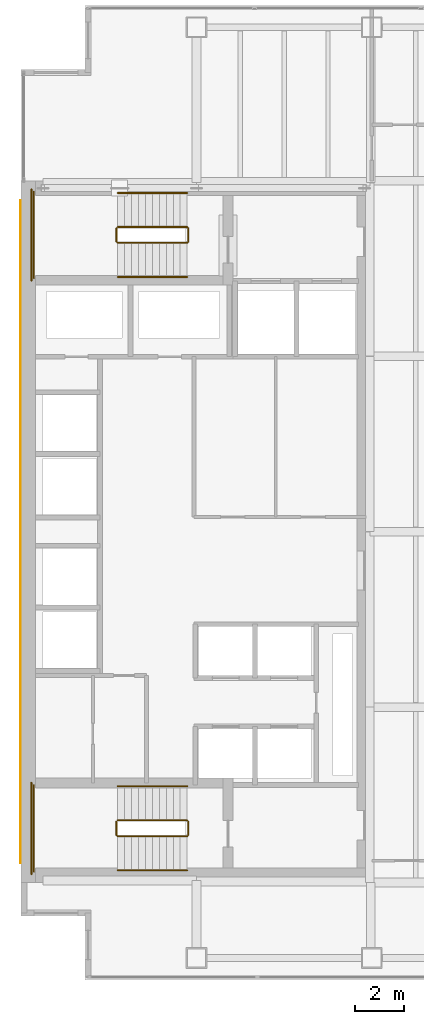
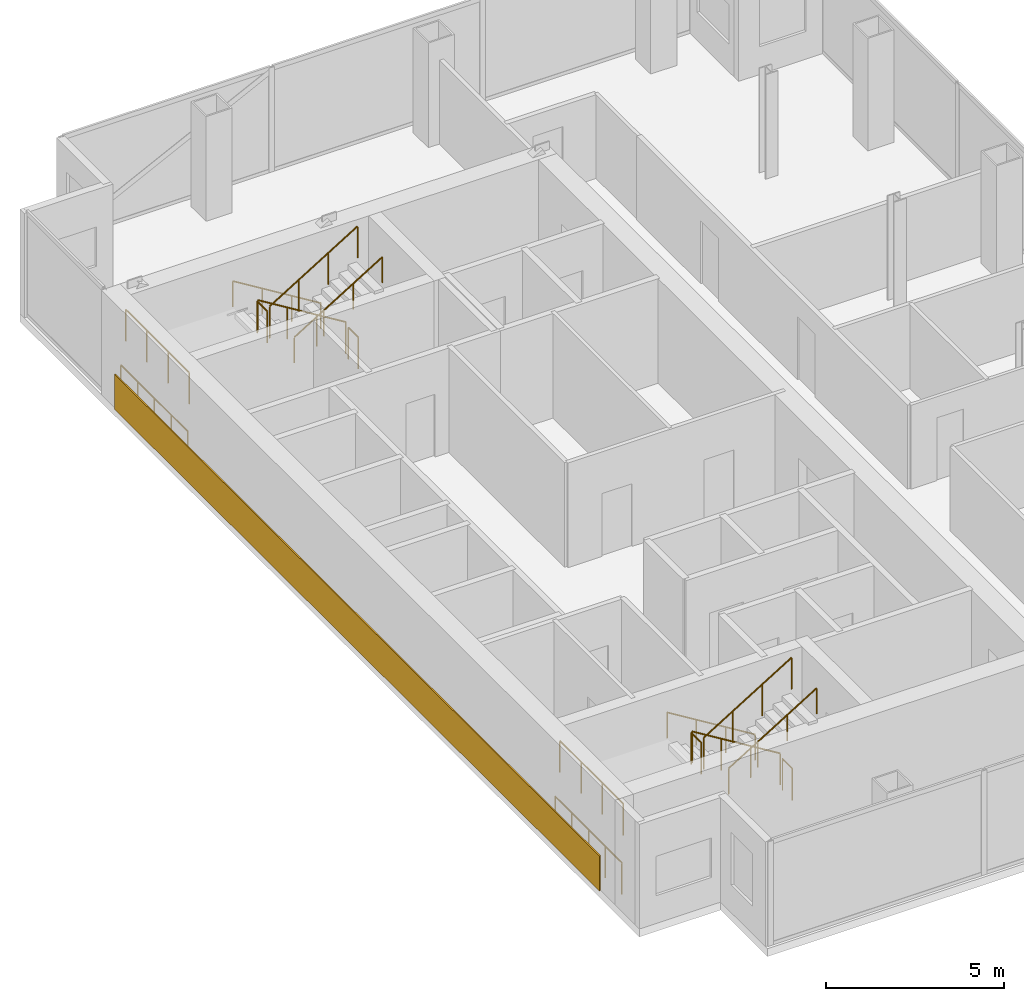
# One storey, part 23 of 23: 16 railings, 1 covering.
"""IFC4 building model written with IfcOpenShell, lengths in metres."""

import ifcopenshell
import ifcopenshell.guid

model = None  # the IFC model being written
_history = None  # IfcOwnerHistory: only IFC2X3 demands one
_inside = {}  # id of a spatial element -> (the spatial element, [elements in it])
_under = {}  # id of a project, library or spatial element -> (it, [spatial elements below it])
_declared = {}  # id of a project -> (the project, [libraries it declares])
_typed = {}  # id of a type object -> (the type object, [elements of that type])
_made_of = {}  # id of a material, layer set ... -> (it, [elements and type objects made of it])


def new_model(schema):
    """Start an empty IFC model of exactly this schema.

    Asked for "IFC4X3", IfcOpenShell would pick the latest addendum, in which some entities
    have other attributes; the version numbers below select the first issue.
    IFC2X3 requires an IfcOwnerHistory on every rooted entity: one is made here for all.
    """
    global model, _history
    if schema == "IFC4X3":
        model = ifcopenshell.file(schema_version=(4, 3, 0, 0))
    else:
        model = ifcopenshell.file(schema=schema)
    _inside.clear()
    _under.clear()
    _declared.clear()
    _typed.clear()
    _made_of.clear()
    _history = None
    if model.schema == "IFC2X3":
        org = make("IfcOrganization", Name="unknown")
        user = make(
            "IfcPersonAndOrganization",
            ThePerson=make("IfcPerson", FamilyName="unknown"),
            TheOrganization=org,
        )
        app = make(
            "IfcApplication",
            ApplicationDeveloper=org,
            Version="unknown",
            ApplicationFullName="unknown",
            ApplicationIdentifier="unknown",
        )
        _history = make(
            "IfcOwnerHistory",
            OwningUser=user,
            OwningApplication=app,
            ChangeAction="ADDED",
            CreationDate=0,
        )
    return model


def make(cls, **values):
    """One entity of the class cls with the attributes given. An attribute that is None is left unset."""
    return model.create_entity(
        cls, **{name: value for name, value in values.items() if value is not None}
    )


def rooted(cls, **values):
    """An entity with a GlobalId (a new one), such as an element, a storey or a relation."""
    return make(cls, GlobalId=ifcopenshell.guid.new(), OwnerHistory=_history, **values)


def si_unit(unit_type, name, prefix=None):
    """IfcSIUnit, for example si_unit("LENGTHUNIT", "METRE", prefix="MILLI")."""
    return make("IfcSIUnit", UnitType=unit_type, Prefix=prefix, Name=name)


def assignment(units):
    """IfcUnitAssignment: the units of a project."""
    return None if units is None else make("IfcUnitAssignment", Units=units)


def point(xyz):
    """IfcCartesianPoint."""
    return None if xyz is None else make("IfcCartesianPoint", Coordinates=xyz)


def direction(xyz):
    """IfcDirection."""
    return None if xyz is None else make("IfcDirection", DirectionRatios=xyz)


def frame(location, z_axis=None, x_axis=None):
    """IfcAxis2Placement3D, a coordinate frame: its origin and axes. An axis left out is left unset."""
    return make(
        "IfcAxis2Placement3D",
        Location=point(location),
        Axis=direction(z_axis),
        RefDirection=direction(x_axis),
    )


def frame_2d(location, x_axis=None):
    """IfcAxis2Placement2D, a coordinate frame in the plane: its origin and x axis."""
    return make(
        "IfcAxis2Placement2D", Location=point(location), RefDirection=direction(x_axis)
    )


def origin():
    """The frame at (0, 0, 0) with its axes left unset."""
    return frame((0.0, 0.0, 0.0))


def origin_2d():
    """The frame at (0, 0) in the plane with its x axis left unset."""
    return frame_2d((0.0, 0.0))


def place(relative_to, where):
    """IfcLocalPlacement: puts the frame where relative to a parent placement (None: the world)."""
    return make(
        "IfcLocalPlacement", PlacementRelTo=relative_to, RelativePlacement=where
    )


def context(
    kind, dimensions, precision=None, world=None, true_north=None, identifier=None
):
    """IfcGeometricRepresentationContext, for example the 3D "Model" context."""
    return make(
        "IfcGeometricRepresentationContext",
        ContextIdentifier=identifier,
        ContextType=kind,
        CoordinateSpaceDimension=dimensions,
        Precision=precision,
        WorldCoordinateSystem=world,
        TrueNorth=true_north,
    )


def subcontext(parent, identifier, kind, view, scale=None):
    """IfcGeometricRepresentationSubContext, for example "Body" below "Model"."""
    return make(
        "IfcGeometricRepresentationSubContext",
        ContextIdentifier=identifier,
        ContextType=kind,
        ParentContext=parent,
        TargetScale=scale,
        TargetView=view,
    )


def project(units=None, contexts=None):
    """IfcProject with its units and contexts."""
    return rooted(
        "IfcProject",
        Name="project",
        RepresentationContexts=contexts,
        UnitsInContext=assignment(units),
    )


def spatial(cls, under=None, at=None, **own):
    """A site, building, storey or space (cls), placed at a placement, below another one or the project."""
    s = rooted(cls, ObjectPlacement=at, **own)
    if under is not None:
        _under.setdefault(under.id(), (under, []))[1].append(s)
    return s


def polyline(points):
    """IfcPolyline through the points."""
    return make("IfcPolyline", Points=[point(p) for p in points])


def profile(cls, at=None, kind="AREA", **sizes):
    """A parametric profile (cls). Its sizes go by their IFC names, for example OverallWidth=200.0."""
    return make(cls, ProfileType=kind, Position=at, **sizes)


def circle(**sizes):
    """IfcCircleProfileDef."""
    return profile("IfcCircleProfileDef", **sizes)


def outline(outer, holes=None, kind="AREA"):
    """IfcArbitraryClosedProfileDef: a profile drawn as a closed curve; with holes, ...WithVoids."""
    if holes is None:
        return make("IfcArbitraryClosedProfileDef", ProfileType=kind, OuterCurve=outer)
    return make(
        "IfcArbitraryProfileDefWithVoids",
        ProfileType=kind,
        OuterCurve=outer,
        InnerCurves=holes,
    )


def extrude(swept, where, along, depth):
    """IfcExtrudedAreaSolid: the profile swept, set in the frame where, extruded along a direction by depth."""
    return make(
        "IfcExtrudedAreaSolid",
        SweptArea=swept,
        Position=where,
        ExtrudedDirection=direction(along),
        Depth=depth,
    )


def shape(context_of_items, identifier, shape_type, items):
    """IfcShapeRepresentation: the items that make up one representation, for example the "Body"."""
    return make(
        "IfcShapeRepresentation",
        ContextOfItems=context_of_items,
        RepresentationIdentifier=identifier,
        RepresentationType=shape_type,
        Items=items,
    )


def material(Name=None, Category=None):
    """IfcMaterial."""
    return make("IfcMaterial", Name=Name, Category=Category)


def layer(
    of_material, thickness, ventilated=None, Name=None, Category=None, Priority=None
):
    """IfcMaterialLayer: one layer of a wall or slab, of a material (None: an air gap)."""
    return make(
        "IfcMaterialLayer",
        Material=of_material,
        LayerThickness=thickness,
        IsVentilated=ventilated,
        Name=Name,
        Category=Category,
        Priority=Priority,
    )


def layer_set(layers, Name=None):
    """IfcMaterialLayerSet."""
    return make("IfcMaterialLayerSet", MaterialLayers=layers, LayerSetName=Name)


def made_of(thing, what):
    """Note that an element or type object is made of a material, layer set ...; save() writes the relation."""
    if what is not None:
        _made_of.setdefault(what.id(), (what, []))[1].append(thing)
    return thing


def type_object(cls, material=None, **own):
    """A type object (cls), such as IfcWallType, which elements share."""
    return made_of(rooted(cls, **own), material)


def element(
    cls,
    number,
    at=None,
    inside=None,
    cuts=None,
    type_object=None,
    material=None,
    context=None,
    identifier="Body",
    shape_type=None,
    held_by="IfcProductDefinitionShape",
    body=None,
    shapes=None,
    **own,
):
    """One element of the class cls, such as IfcWall. Its Tag is "e" and its number.

    at: its placement. inside: the storey or other place that contains it. cuts: it is an
    opening in that element (IfcRelVoidsElement). A single representation is given by context,
    identifier, shape_type and body (its items); several are given by shapes. held_by: the class
    of the entity that holds the representations. save() writes the other relations.
    """
    e = rooted(cls, Tag="e%d" % number, ObjectPlacement=at, **own)
    if body is not None:
        shapes = [shape(context, identifier, shape_type, body)]
    if shapes is not None:
        e.Representation = make(held_by, Representations=shapes)
    if inside is not None:
        _inside.setdefault(inside.id(), (inside, []))[1].append(e)
    if cuts is not None:
        rooted(
            "IfcRelVoidsElement", RelatingBuildingElement=cuts, RelatedOpeningElement=e
        )
    if type_object is not None:
        _typed.setdefault(type_object.id(), (type_object, []))[1].append(e)
    return made_of(e, material)


def aggregate(whole, parts):
    """IfcRelAggregates: a whole, such as a stair, and the parts it consists of."""
    return rooted("IfcRelAggregates", RelatingObject=whole, RelatedObjects=parts)


def save(model, path):
    """Write the relations noted so far, then the file.

    IfcRelAggregates (storeys below a building ...), IfcRelContainedInSpatialStructure (elements
    in a storey), IfcRelDefinesByType, IfcRelAssociatesMaterial and IfcRelDeclares: one each for
    every whole, place, type object, material and project.
    """
    for whole, parts in _under.values():
        aggregate(whole, parts)
    for where, things in _inside.values():
        rooted(
            "IfcRelContainedInSpatialStructure",
            RelatedElements=things,
            RelatingStructure=where,
        )
    for kind, things in _typed.values():
        rooted("IfcRelDefinesByType", RelatedObjects=things, RelatingType=kind)
    for what, things in _made_of.values():
        rooted("IfcRelAssociatesMaterial", RelatedObjects=things, RelatingMaterial=what)
    for by, libraries in _declared.values():
        rooted("IfcRelDeclares", RelatingContext=by, RelatedDefinitions=libraries)
    model.write(path)


model = new_model("IFC4")

# Units and contexts
model_context = context("Model", 3, precision=1e-05, world=origin(), true_north=direction((0.0, 1.0)))
body_context = subcontext(model_context, "Body", "Model", "MODEL_VIEW")
ifc_project = project(units=[si_unit("LENGTHUNIT", "METRE"), si_unit("AREAUNIT", "SQUARE_METRE"), si_unit("VOLUMEUNIT", "CUBIC_METRE"), si_unit("PLANEANGLEUNIT", "RADIAN"), si_unit("MASSUNIT", "GRAM", prefix="KILO")], contexts=[model_context])

# Site, building, storey
site_placement = place(None, origin())
site = spatial("IfcSite", under=ifc_project, at=site_placement, CompositionType="ELEMENT")
building_placement = place(site_placement, origin())
building = spatial("IfcBuilding", under=site, at=building_placement, Name="Cobrela Telecom Tower", CompositionType="ELEMENT")
storey_placement = place(building_placement, frame((0.0, 0.0, 159.949951171875)))
storey = spatial("IfcBuildingStorey", under=building, at=storey_placement, Name="L40", CompositionType="ELEMENT", Elevation=159.949951171875)

# Covering
ifc_material_1 = material(Name="Bogota Terracotta Architectural Stone", Category="masonry")
ifc_layer = layer(ifc_material_1, 0.0400390625)
ifc_layer_set = layer_set([ifc_layer], Name="Bogota Terracotta Architectural Stone")
covering_type = type_object("IfcCoveringType", Name="COV-CLAD-TERRA", PredefinedType="CLADDING", material=ifc_layer_set)
covering_placement = place(storey_placement, origin())
element("IfcCovering", 1, at=covering_placement, inside=storey, type_object=covering_type, Name="L40 West Core Terracotta Spandrel Cladding Band", PredefinedType="CLADDING", context=body_context, shape_type="SweptSolid", body=[
    extrude(outline(polyline([(-0.0400390625, 8.0), (0.0, 8.0), (0.0, 35.199951171875), (-0.0400390625, 35.199951171875), (-0.0400390625, 8.0)])), origin(), (0.0, 0.0, 1.0), 1.199951171875),
])

# Railings
ifc_material_2 = material(Name="Steel ASTM A36", Category="steel")
railing_type_1 = type_object("IfcRailingType", Name="RAIL-GUARD-1100", PredefinedType="GUARDRAIL", material=ifc_material_2)
railing_1_placement = place(storey_placement, frame((6.820068359375, 34.10009765625, 0.175048828125)))
element("IfcRailing", 2, at=railing_1_placement, inside=storey, type_object=railing_type_1, Name="L40 ST1 stair guard 1", PredefinedType="GUARDRAIL", context=body_context, shape_type="SweptSolid", body=[
    extrude(circle(Radius=0.02392578125, at=origin_2d()), frame((0.0, 0.0, 1.076171875), z_axis=(-0.852179220489, 0.0, 0.52325001306), x_axis=(0.0, -1.0, 0.0)), (0.0, 0.0, 1.0), 3.344482421875),
    extrude(circle(Radius=0.02099609375, at=origin_2d()), origin(), (0.0, 0.0, 1.0), 1.052001953125),
    extrude(circle(Radius=0.02099609375, at=origin_2d()), frame((-0.949951171875, 0.0, 0.583251953125)), (0.0, 0.0, 1.0), 1.052001953125),
    extrude(circle(Radius=0.02099609375, at=origin_2d()), frame((-1.900146484375, 0.0, 1.166748046875)), (0.0, 0.0, 1.0), 1.052001953125),
    extrude(circle(Radius=0.02099609375, at=origin_2d()), frame((-2.85009765625, 0.0, 1.75)), (0.0, 0.0, 1.0), 1.052001953125),
])
railing_2_placement = place(storey_placement, frame((3.919921875, 34.050048828125, 1.925048828125)))
element("IfcRailing", 3, at=railing_2_placement, inside=storey, type_object=railing_type_1, Name="L40 ST1 stair guard 2", PredefinedType="GUARDRAIL", context=body_context, shape_type="SweptSolid", body=[
    extrude(circle(Radius=0.02392578125, at=origin_2d()), frame((0.0, 0.0, 1.076171875), z_axis=(0.0, -1.0, 0.0), x_axis=(1.0, 0.0, 0.0)), (0.0, 0.0, 1.0), 0.550048828125),
    extrude(circle(Radius=0.02099609375, at=origin_2d()), origin(), (0.0, 0.0, 1.0), 1.052001953125),
    extrude(circle(Radius=0.02099609375, at=origin_2d()), frame((0.0, -0.550048828125, 0.0)), (0.0, 0.0, 1.0), 1.052001953125),
])
railing_3_placement = place(storey_placement, frame((0.530029296875, 35.550048828125, 1.925048828125)))
element("IfcRailing", 4, at=railing_3_placement, inside=storey, type_object=railing_type_1, Name="L40 ST1 stair guard 3", PredefinedType="GUARDRAIL", context=body_context, shape_type="SweptSolid", body=[
    extrude(circle(Radius=0.02392578125, at=origin_2d()), frame((0.0, 0.0, 1.076171875), z_axis=(0.0, -1.0, 0.0), x_axis=(1.0, 0.0, 0.0)), (0.0, 0.0, 1.0), 3.550048828125),
    extrude(circle(Radius=0.02099609375, at=origin_2d()), origin(), (0.0, 0.0, 1.0), 1.052001953125),
    extrude(circle(Radius=0.02099609375, at=origin_2d()), frame((0.0, -1.183349609375, 0.0)), (0.0, 0.0, 1.0), 1.052001953125),
    extrude(circle(Radius=0.02099609375, at=origin_2d()), frame((0.0, -2.36669921875, 0.0)), (0.0, 0.0, 1.0), 1.052001953125),
    extrude(circle(Radius=0.02099609375, at=origin_2d()), frame((0.0, -3.550048828125, 0.0)), (0.0, 0.0, 1.0), 1.052001953125),
])
railing_4_placement = place(storey_placement, frame((3.969970703125, 33.449951171875, 2.10009765625)))
element("IfcRailing", 5, at=railing_4_placement, inside=storey, type_object=railing_type_1, Name="L40 ST1 stair guard 4", PredefinedType="GUARDRAIL", context=body_context, shape_type="SweptSolid", body=[
    extrude(circle(Radius=0.02392578125, at=origin_2d()), frame((0.0, 0.0, 1.076171875), z_axis=(0.852179220489, 0.0, 0.52325001306), x_axis=(0.0, 1.0, 0.0)), (0.0, 0.0, 1.0), 3.344482421875),
    extrude(circle(Radius=0.02099609375, at=origin_2d()), origin(), (0.0, 0.0, 1.0), 1.052001953125),
    extrude(circle(Radius=0.02099609375, at=origin_2d()), frame((0.949951171875, 0.0, 0.583251953125)), (0.0, 0.0, 1.0), 1.052001953125),
    extrude(circle(Radius=0.02099609375, at=origin_2d()), frame((1.900146484375, 0.0, 1.166748046875)), (0.0, 0.0, 1.0), 1.052001953125),
    extrude(circle(Radius=0.02099609375, at=origin_2d()), frame((2.85009765625, 0.0, 1.75)), (0.0, 0.0, 1.0), 1.052001953125),
])
railing_5_placement = place(storey_placement, frame((6.8701171875, 34.050048828125, 0.0)))
element("IfcRailing", 6, at=railing_5_placement, inside=storey, type_object=railing_type_1, Name="L40 ST1 stair guard 5", PredefinedType="GUARDRAIL", context=body_context, shape_type="SweptSolid", body=[
    extrude(circle(Radius=0.02392578125, at=origin_2d()), frame((0.0, 0.0, 1.076171875), z_axis=(0.0, -1.0, 0.0), x_axis=(1.0, 0.0, 0.0)), (0.0, 0.0, 1.0), 0.550048828125),
    extrude(circle(Radius=0.02099609375, at=origin_2d()), origin(), (0.0, 0.0, 1.0), 1.052001953125),
    extrude(circle(Radius=0.02099609375, at=origin_2d()), frame((0.0, -0.550048828125, 0.0)), (0.0, 0.0, 1.0), 1.052001953125),
])
railing_6_placement = place(storey_placement, frame((0.429931640625, 35.64990234375, 0.0)))
element("IfcRailing", 7, at=railing_6_placement, inside=storey, type_object=railing_type_1, Name="L40 ST1 stair guard 6", PredefinedType="GUARDRAIL", context=body_context, shape_type="SweptSolid", body=[
    extrude(circle(Radius=0.02392578125, at=origin_2d()), frame((0.0, 0.0, 1.076171875), z_axis=(0.0, -1.0, 0.0), x_axis=(1.0, 0.0, 0.0)), (0.0, 0.0, 1.0), 3.75),
    extrude(circle(Radius=0.02099609375, at=origin_2d()), origin(), (0.0, 0.0, 1.0), 1.052001953125),
    extrude(circle(Radius=0.02099609375, at=origin_2d()), frame((0.0, -0.9375, 0.0)), (0.0, 0.0, 1.0), 1.052001953125),
    extrude(circle(Radius=0.02099609375, at=origin_2d()), frame((0.0, -1.875, 0.0)), (0.0, 0.0, 1.0), 1.052001953125),
    extrude(circle(Radius=0.02099609375, at=origin_2d()), frame((0.0, -2.8125, 0.0)), (0.0, 0.0, 1.0), 1.052001953125),
    extrude(circle(Radius=0.02099609375, at=origin_2d()), frame((0.0, -3.75, 0.0)), (0.0, 0.0, 1.0), 1.052001953125),
])
railing_7_placement = place(storey_placement, frame((6.820068359375, 9.75, 0.175048828125)))
element("IfcRailing", 8, at=railing_7_placement, inside=storey, type_object=railing_type_1, Name="L40 ST2 stair guard 1", PredefinedType="GUARDRAIL", context=body_context, shape_type="SweptSolid", body=[
    extrude(circle(Radius=0.02392578125, at=origin_2d()), frame((0.0, 0.0, 1.076171875), z_axis=(-0.852179220489, 0.0, 0.52325001306), x_axis=(0.0, -1.0, 0.0)), (0.0, 0.0, 1.0), 3.344482421875),
    extrude(circle(Radius=0.02099609375, at=origin_2d()), origin(), (0.0, 0.0, 1.0), 1.052001953125),
    extrude(circle(Radius=0.02099609375, at=origin_2d()), frame((-0.949951171875, 0.0, 0.583251953125)), (0.0, 0.0, 1.0), 1.052001953125),
    extrude(circle(Radius=0.02099609375, at=origin_2d()), frame((-1.900146484375, 0.0, 1.166748046875)), (0.0, 0.0, 1.0), 1.052001953125),
    extrude(circle(Radius=0.02099609375, at=origin_2d()), frame((-2.85009765625, 0.0, 1.75)), (0.0, 0.0, 1.0), 1.052001953125),
])
railing_8_placement = place(storey_placement, frame((3.919921875, 9.699951171875, 1.925048828125)))
element("IfcRailing", 9, at=railing_8_placement, inside=storey, type_object=railing_type_1, Name="L40 ST2 stair guard 2", PredefinedType="GUARDRAIL", context=body_context, shape_type="SweptSolid", body=[
    extrude(circle(Radius=0.02392578125, at=origin_2d()), frame((0.0, 0.0, 1.076171875), z_axis=(0.0, -1.0, 0.0), x_axis=(1.0, 0.0, 0.0)), (0.0, 0.0, 1.0), 0.550048828125),
    extrude(circle(Radius=0.02099609375, at=origin_2d()), origin(), (0.0, 0.0, 1.0), 1.052001953125),
    extrude(circle(Radius=0.02099609375, at=origin_2d()), frame((0.0, -0.550048828125, 0.0)), (0.0, 0.0, 1.0), 1.052001953125),
])
railing_9_placement = place(storey_placement, frame((0.530029296875, 11.199951171875, 1.925048828125)))
element("IfcRailing", 10, at=railing_9_placement, inside=storey, type_object=railing_type_1, Name="L40 ST2 stair guard 3", PredefinedType="GUARDRAIL", context=body_context, shape_type="SweptSolid", body=[
    extrude(circle(Radius=0.02392578125, at=origin_2d()), frame((0.0, 0.0, 1.076171875), z_axis=(0.0, -1.0, 0.0), x_axis=(1.0, 0.0, 0.0)), (0.0, 0.0, 1.0), 3.550048828125),
    extrude(circle(Radius=0.02099609375, at=origin_2d()), origin(), (0.0, 0.0, 1.0), 1.052001953125),
    extrude(circle(Radius=0.02099609375, at=origin_2d()), frame((0.0, -1.183349609375, 0.0)), (0.0, 0.0, 1.0), 1.052001953125),
    extrude(circle(Radius=0.02099609375, at=origin_2d()), frame((0.0, -2.36669921875, 0.0)), (0.0, 0.0, 1.0), 1.052001953125),
    extrude(circle(Radius=0.02099609375, at=origin_2d()), frame((0.0, -3.550048828125, 0.0)), (0.0, 0.0, 1.0), 1.052001953125),
])
railing_10_placement = place(storey_placement, frame((3.969970703125, 9.10009765625, 2.10009765625)))
element("IfcRailing", 11, at=railing_10_placement, inside=storey, type_object=railing_type_1, Name="L40 ST2 stair guard 4", PredefinedType="GUARDRAIL", context=body_context, shape_type="SweptSolid", body=[
    extrude(circle(Radius=0.02392578125, at=origin_2d()), frame((0.0, 0.0, 1.076171875), z_axis=(0.852179220489, 0.0, 0.52325001306), x_axis=(0.0, 1.0, 0.0)), (0.0, 0.0, 1.0), 3.344482421875),
    extrude(circle(Radius=0.02099609375, at=origin_2d()), origin(), (0.0, 0.0, 1.0), 1.052001953125),
    extrude(circle(Radius=0.02099609375, at=origin_2d()), frame((0.949951171875, 0.0, 0.583251953125)), (0.0, 0.0, 1.0), 1.052001953125),
    extrude(circle(Radius=0.02099609375, at=origin_2d()), frame((1.900146484375, 0.0, 1.166748046875)), (0.0, 0.0, 1.0), 1.052001953125),
    extrude(circle(Radius=0.02099609375, at=origin_2d()), frame((2.85009765625, 0.0, 1.75)), (0.0, 0.0, 1.0), 1.052001953125),
])
railing_11_placement = place(storey_placement, frame((6.8701171875, 9.699951171875, 0.0)))
element("IfcRailing", 12, at=railing_11_placement, inside=storey, type_object=railing_type_1, Name="L40 ST2 stair guard 5", PredefinedType="GUARDRAIL", context=body_context, shape_type="SweptSolid", body=[
    extrude(circle(Radius=0.02392578125, at=origin_2d()), frame((0.0, 0.0, 1.076171875), z_axis=(0.0, -1.0, 0.0), x_axis=(1.0, 0.0, 0.0)), (0.0, 0.0, 1.0), 0.550048828125),
    extrude(circle(Radius=0.02099609375, at=origin_2d()), origin(), (0.0, 0.0, 1.0), 1.052001953125),
    extrude(circle(Radius=0.02099609375, at=origin_2d()), frame((0.0, -0.550048828125, 0.0)), (0.0, 0.0, 1.0), 1.052001953125),
])
railing_12_placement = place(storey_placement, frame((0.429931640625, 11.300048828125, 0.0)))
element("IfcRailing", 13, at=railing_12_placement, inside=storey, type_object=railing_type_1, Name="L40 ST2 stair guard 6", PredefinedType="GUARDRAIL", context=body_context, shape_type="SweptSolid", body=[
    extrude(circle(Radius=0.02392578125, at=origin_2d()), frame((0.0, 0.0, 1.076171875), z_axis=(0.0, -1.0, 0.0), x_axis=(1.0, 0.0, 0.0)), (0.0, 0.0, 1.0), 3.75),
    extrude(circle(Radius=0.02099609375, at=origin_2d()), origin(), (0.0, 0.0, 1.0), 1.052001953125),
    extrude(circle(Radius=0.02099609375, at=origin_2d()), frame((0.0, -0.9375, 0.0)), (0.0, 0.0, 1.0), 1.052001953125),
    extrude(circle(Radius=0.02099609375, at=origin_2d()), frame((0.0, -1.875, 0.0)), (0.0, 0.0, 1.0), 1.052001953125),
    extrude(circle(Radius=0.02099609375, at=origin_2d()), frame((0.0, -2.8125, 0.0)), (0.0, 0.0, 1.0), 1.052001953125),
    extrude(circle(Radius=0.02099609375, at=origin_2d()), frame((0.0, -3.75, 0.0)), (0.0, 0.0, 1.0), 1.052001953125),
])
railing_type_2 = type_object("IfcRailingType", Name="RAIL-HAND-920", PredefinedType="HANDRAIL", material=ifc_material_2)
railing_13_placement = place(storey_placement, frame((6.820068359375, 35.5, 0.175048828125)))
element("IfcRailing", 14, at=railing_13_placement, inside=storey, type_object=railing_type_2, Name="L40 ST1 stair handrail 1", PredefinedType="HANDRAIL", context=body_context, shape_type="SweptSolid", body=[
    extrude(circle(Radius=0.02392578125, at=origin_2d()), frame((0.0, 0.0, 0.8759765625), z_axis=(-0.852179220489, 0.0, 0.52325001306), x_axis=(0.0, -1.0, 0.0)), (0.0, 0.0, 1.0), 3.344482421875),
    extrude(circle(Radius=0.02099609375, at=origin_2d()), origin(), (0.0, 0.0, 1.0), 0.851806640625),
    extrude(circle(Radius=0.02099609375, at=origin_2d()), frame((-0.949951171875, 0.0, 0.583251953125)), (0.0, 0.0, 1.0), 0.851806640625),
    extrude(circle(Radius=0.02099609375, at=origin_2d()), frame((-1.900146484375, 0.0, 1.166748046875)), (0.0, 0.0, 1.0), 0.851806640625),
    extrude(circle(Radius=0.02099609375, at=origin_2d()), frame((-2.85009765625, 0.0, 1.75)), (0.0, 0.0, 1.0), 0.851806640625),
])
railing_14_placement = place(storey_placement, frame((3.969970703125, 32.050048828125, 2.10009765625)))
element("IfcRailing", 15, at=railing_14_placement, inside=storey, type_object=railing_type_2, Name="L40 ST1 stair handrail 2", PredefinedType="HANDRAIL", context=body_context, shape_type="SweptSolid", body=[
    extrude(circle(Radius=0.02392578125, at=origin_2d()), frame((0.0, 0.0, 0.8759765625), z_axis=(0.852179220489, 0.0, 0.52325001306), x_axis=(0.0, 1.0, 0.0)), (0.0, 0.0, 1.0), 3.344482421875),
    extrude(circle(Radius=0.02099609375, at=origin_2d()), origin(), (0.0, 0.0, 1.0), 0.851806640625),
    extrude(circle(Radius=0.02099609375, at=origin_2d()), frame((0.949951171875, 0.0, 0.583251953125)), (0.0, 0.0, 1.0), 0.851806640625),
    extrude(circle(Radius=0.02099609375, at=origin_2d()), frame((1.900146484375, 0.0, 1.166748046875)), (0.0, 0.0, 1.0), 0.851806640625),
    extrude(circle(Radius=0.02099609375, at=origin_2d()), frame((2.85009765625, 0.0, 1.75)), (0.0, 0.0, 1.0), 0.851806640625),
])
railing_15_placement = place(storey_placement, frame((6.820068359375, 11.14990234375, 0.175048828125)))
element("IfcRailing", 16, at=railing_15_placement, inside=storey, type_object=railing_type_2, Name="L40 ST2 stair handrail 1", PredefinedType="HANDRAIL", context=body_context, shape_type="SweptSolid", body=[
    extrude(circle(Radius=0.02392578125, at=origin_2d()), frame((0.0, 0.0, 0.8759765625), z_axis=(-0.852179220489, 0.0, 0.52325001306), x_axis=(0.0, -1.0, 0.0)), (0.0, 0.0, 1.0), 3.344482421875),
    extrude(circle(Radius=0.02099609375, at=origin_2d()), origin(), (0.0, 0.0, 1.0), 0.851806640625),
    extrude(circle(Radius=0.02099609375, at=origin_2d()), frame((-0.949951171875, 0.0, 0.583251953125)), (0.0, 0.0, 1.0), 0.851806640625),
    extrude(circle(Radius=0.02099609375, at=origin_2d()), frame((-1.900146484375, 0.0, 1.166748046875)), (0.0, 0.0, 1.0), 0.851806640625),
    extrude(circle(Radius=0.02099609375, at=origin_2d()), frame((-2.85009765625, 0.0, 1.75)), (0.0, 0.0, 1.0), 0.851806640625),
])
railing_16_placement = place(storey_placement, frame((3.969970703125, 7.699951171875, 2.10009765625)))
element("IfcRailing", 17, at=railing_16_placement, inside=storey, type_object=railing_type_2, Name="L40 ST2 stair handrail 2", PredefinedType="HANDRAIL", context=body_context, shape_type="SweptSolid", body=[
    extrude(circle(Radius=0.02392578125, at=origin_2d()), frame((0.0, 0.0, 0.8759765625), z_axis=(0.852179220489, 0.0, 0.52325001306), x_axis=(0.0, 1.0, 0.0)), (0.0, 0.0, 1.0), 3.344482421875),
    extrude(circle(Radius=0.02099609375, at=origin_2d()), origin(), (0.0, 0.0, 1.0), 0.851806640625),
    extrude(circle(Radius=0.02099609375, at=origin_2d()), frame((0.949951171875, 0.0, 0.583251953125)), (0.0, 0.0, 1.0), 0.851806640625),
    extrude(circle(Radius=0.02099609375, at=origin_2d()), frame((1.900146484375, 0.0, 1.166748046875)), (0.0, 0.0, 1.0), 0.851806640625),
    extrude(circle(Radius=0.02099609375, at=origin_2d()), frame((2.85009765625, 0.0, 1.75)), (0.0, 0.0, 1.0), 0.851806640625),
])

save(model, "model.ifc")
